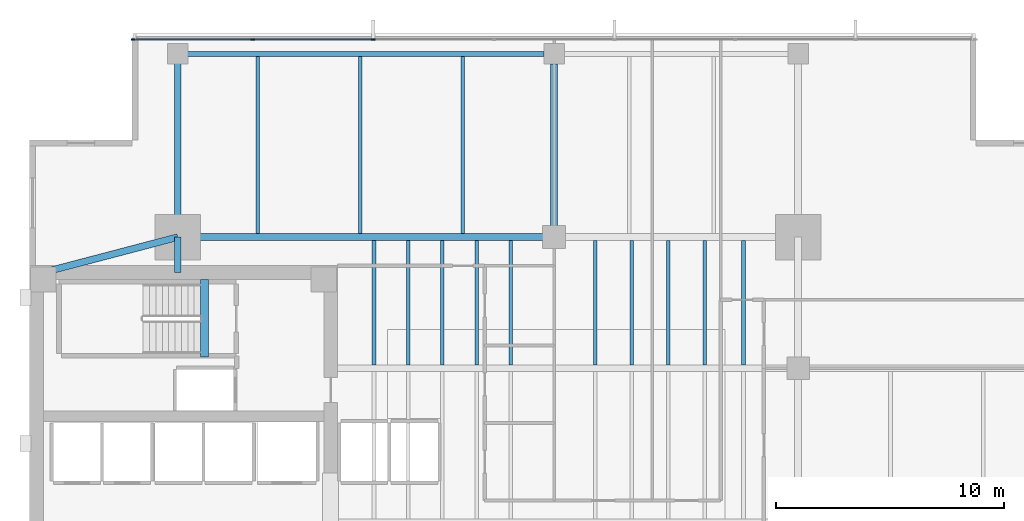
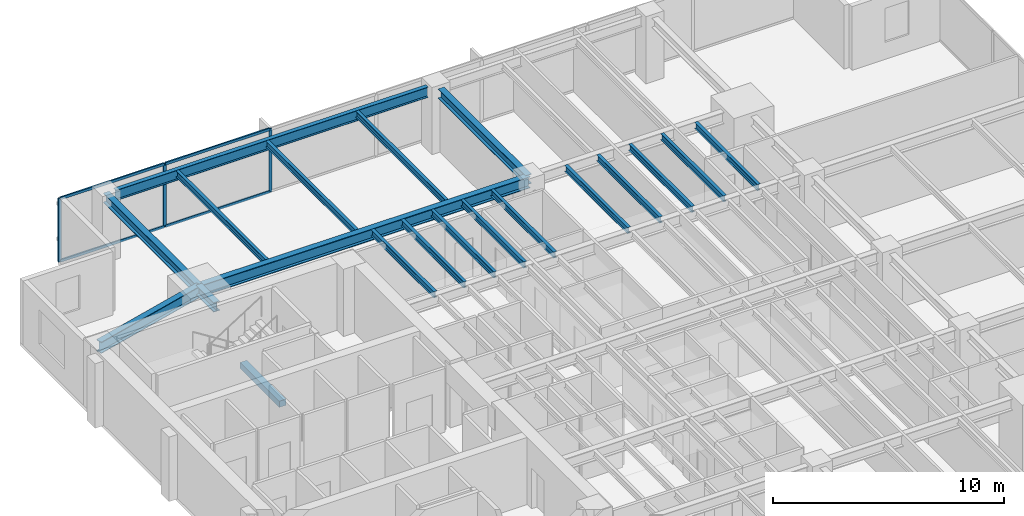
# One storey, part 5 of 14: 20 beams, 7 members, 1 element without a shape of its own.
"""IFC4 building model written with IfcOpenShell, lengths in metres."""

from ifc_helpers import new_model, si_unit, direction, frame, origin, origin_2d, place, context, subcontext, project, spatial, rectangle, i_section, extrude, material, layer, layer_set, material_profile, profile_set, type_object, element, aggregate, save


model = new_model("IFC4")

# Units and contexts
model_context = context("Model", 3, precision=1e-05, world=origin(), true_north=direction((0.0, 1.0)))
body_context = subcontext(model_context, "Body", "Model", "MODEL_VIEW")
ifc_project = project(units=[si_unit("LENGTHUNIT", "METRE"), si_unit("AREAUNIT", "SQUARE_METRE"), si_unit("VOLUMEUNIT", "CUBIC_METRE"), si_unit("PLANEANGLEUNIT", "RADIAN"), si_unit("MASSUNIT", "GRAM", prefix="KILO")], contexts=[model_context])

# Site, building, storey
site_placement = place(None, origin())
site = spatial("IfcSite", under=ifc_project, at=site_placement, CompositionType="ELEMENT")
building_placement = place(site_placement, origin())
building = spatial("IfcBuilding", under=site, at=building_placement, Name="Kinhvarn Gate Tower", CompositionType="ELEMENT")
storey_placement = place(building_placement, frame((0.0, 0.0, 102.25)))
storey = spatial("IfcBuildingStorey", under=building, at=storey_placement, Name="L26", CompositionType="ELEMENT", Elevation=102.25)

# Beam
ifc_material_1 = material(Name="Concrete C50/60", Category="concrete")
ifc_material_profile_1 = material_profile(ifc_material_1, rectangle(XDim=0.340087890625, YDim=0.320068359375, at=origin_2d()), Name="RC 340x320")
ifc_profile_set_1 = profile_set([ifc_material_profile_1], Name="Concrete C50/60")
beam_type_1 = type_object("IfcBeamType", Name="BM-LND-500", PredefinedType="BEAM", material=ifc_profile_set_1)
beam_1_placement = place(storey_placement, frame((12.1650390625, 32.5, -0.159912109375), z_axis=(0.0, 1.0, 0.0), x_axis=(-1.0, 0.0, 0.0)))
element("IfcBeam", 1, at=beam_1_placement, inside=storey, type_object=beam_type_1, Name="Stair ST2 Landing Nosing Beam (L26)", PredefinedType="BEAM", context=body_context, shape_type="SweptSolid", body=[
    extrude(rectangle(XDim=0.340087890625, YDim=0.320068359375, at=origin_2d()), origin(), (0.0, 0.0, 1.0), 3.39990234375),
])

# Curtain wall, members
ifc_material_2 = material(Name="Anodised aluminium AW-6063", Category="aluminium")
ifc_layer = layer(ifc_material_2, 0.179931640625)
ifc_layer_set = layer_set([ifc_layer], Name="Anodised aluminium AW-6063")
curtain_wall_type = type_object("IfcCurtainWallType", Name="CW-SYS-3", PredefinedType="NOTDEFINED", material=ifc_layer_set)
curtain_wall_placement = place(storey_placement, origin())
curtain_wall = element("IfcCurtainWall", 2, at=curtain_wall_placement, inside=storey, type_object=curtain_wall_type, Name="Curtain Wall CW3 (L26)", PredefinedType="NOTDEFINED")
ifc_material_profile_2 = material_profile(ifc_material_2, rectangle(XDim=0.06494140625, YDim=0.159912109375, at=origin_2d()), Name="ALU 65x160")
ifc_profile_set_2 = profile_set([ifc_material_profile_2], Name="Anodised aluminium AW-6063")
member_type_1 = type_object("IfcMemberType", Name="CW-MUL-160", PredefinedType="MULLION", material=ifc_profile_set_2)
member_1_placement = place(storey_placement, frame((19.571533203125, 46.409912109375, 0.0), z_axis=(0.0, 0.0, 1.0), x_axis=(0.0, -1.0, 0.0)))
member_1 = element("IfcMember", 3, at=member_1_placement, type_object=member_type_1, Name="CW3 mullion 6", PredefinedType="MULLION", context=body_context, shape_type="SweptSolid", body=[
    extrude(rectangle(XDim=0.06494140625, YDim=0.159912109375, at=origin_2d()), origin(), (0.0, 0.0, 1.0), 3.3701171875),
])
member_2_placement = place(storey_placement, frame((14.28564453125, 46.409912109375, 0.0), z_axis=(0.0, 0.0, 1.0), x_axis=(0.0, -1.0, 0.0)))
member_2 = element("IfcMember", 4, at=member_2_placement, type_object=member_type_1, Name="CW3 mullion 7", PredefinedType="MULLION", context=body_context, shape_type="SweptSolid", body=[
    extrude(rectangle(XDim=0.06494140625, YDim=0.159912109375, at=origin_2d()), origin(), (0.0, 0.0, 1.0), 3.3701171875),
])
member_3_placement = place(storey_placement, frame((9.032470703125, 46.409912109375, 0.0), z_axis=(0.0, 0.0, 1.0), x_axis=(0.0, -1.0, 0.0)))
member_3 = element("IfcMember", 5, at=member_3_placement, type_object=member_type_1, Name="CW3 mullion 8", PredefinedType="MULLION", context=body_context, shape_type="SweptSolid", body=[
    extrude(rectangle(XDim=0.06494140625, YDim=0.159912109375, at=origin_2d()), origin(), (0.0, 0.0, 1.0), 3.3701171875),
])
ifc_material_profile_3 = material_profile(ifc_material_2, rectangle(XDim=0.070068359375, YDim=0.139892578125, at=origin_2d()), Name="ALU 70x140")
ifc_profile_set_3 = profile_set([ifc_material_profile_3], Name="Anodised aluminium AW-6063")
member_type_2 = type_object("IfcMemberType", Name="CW-TRN-140", PredefinedType="USERDEFINED", material=ifc_profile_set_3)
member_4_placement = place(storey_placement, frame((19.538818359375, 46.409912109375, 0.034912109375), z_axis=(-1.0, 0.0, 0.0), x_axis=(0.0, -1.0, 0.0)))
member_4 = element("IfcMember", 6, at=member_4_placement, type_object=member_type_2, Name="CW3 transom 6.1", ObjectType="TRANSOM", PredefinedType="USERDEFINED", context=body_context, shape_type="SweptSolid", body=[
    extrude(rectangle(XDim=0.070068359375, YDim=0.139892578125, at=origin_2d()), origin(), (0.0, 0.0, 1.0), 5.220703125),
])
member_5_placement = place(storey_placement, frame((19.538818359375, 46.409912109375, 3.3349609375), z_axis=(-1.0, 0.0, 0.0), x_axis=(0.0, -1.0, 0.0)))
member_5 = element("IfcMember", 7, at=member_5_placement, type_object=member_type_2, Name="CW3 transom 6.2", ObjectType="TRANSOM", PredefinedType="USERDEFINED", context=body_context, shape_type="SweptSolid", body=[
    extrude(rectangle(XDim=0.070068359375, YDim=0.139892578125, at=origin_2d()), origin(), (0.0, 0.0, 1.0), 5.220703125),
])
member_6_placement = place(storey_placement, frame((14.253173828125, 46.409912109375, 0.034912109375), z_axis=(-1.0, 0.0, 0.0), x_axis=(0.0, -1.0, 0.0)))
member_6 = element("IfcMember", 8, at=member_6_placement, type_object=member_type_2, Name="CW3 transom 7.1", ObjectType="TRANSOM", PredefinedType="USERDEFINED", context=body_context, shape_type="SweptSolid", body=[
    extrude(rectangle(XDim=0.070068359375, YDim=0.139892578125, at=origin_2d()), origin(), (0.0, 0.0, 1.0), 5.188232421875),
])
member_7_placement = place(storey_placement, frame((14.253173828125, 46.409912109375, 3.3349609375), z_axis=(-1.0, 0.0, 0.0), x_axis=(0.0, -1.0, 0.0)))
member_7 = element("IfcMember", 9, at=member_7_placement, type_object=member_type_2, Name="CW3 transom 7.2", ObjectType="TRANSOM", PredefinedType="USERDEFINED", context=body_context, shape_type="SweptSolid", body=[
    extrude(rectangle(XDim=0.070068359375, YDim=0.139892578125, at=origin_2d()), origin(), (0.0, 0.0, 1.0), 5.188232421875),
])
aggregate(curtain_wall, [member_1, member_2, member_3, member_4, member_5, member_6, member_7])

# Beams
ifc_material_3 = material(Name="Steel S355", Category="steel")
ifc_material_profile_4 = material_profile(ifc_material_3, i_section(OverallWidth=0.300048828125, OverallDepth=0.5, WebThickness=0.014404296875, FlangeThickness=0.028076171875, at=origin_2d()), Name="HEB 500")
ifc_profile_set_4 = profile_set([ifc_material_profile_4], Name="Steel S355")
beam_type_2 = type_object("IfcBeamType", Name="STL-HEB500", PredefinedType="BEAM", material=ifc_profile_set_4)
beam_2_placement = place(storey_placement, frame((11.0, 36.199951171875, 3.1201171875), z_axis=(0.0, 1.0, 0.0), x_axis=(-1.0, 0.0, 0.0)))
element("IfcBeam", 10, at=beam_2_placement, inside=storey, type_object=beam_type_2, Name="Floor Beam PG-14 (L26 MCW-CN)", PredefinedType="BEAM", context=body_context, shape_type="SweptSolid", body=[
    extrude(i_section(OverallWidth=0.300048828125, OverallDepth=0.5, WebThickness=0.014404296875, FlangeThickness=0.028076171875, at=origin_2d()), origin(), (0.0, 0.0, 1.0), 1.550048828125),
])
beam_3_placement = place(storey_placement, frame((11.0, 37.75, 3.1201171875), z_axis=(0.0, 1.0, 0.0), x_axis=(-1.0, 0.0, 0.0)))
element("IfcBeam", 11, at=beam_3_placement, inside=storey, type_object=beam_type_2, Name="Floor Beam PG-14 (L26 MCW-N)", PredefinedType="BEAM", context=body_context, shape_type="SweptSolid", body=[
    extrude(i_section(OverallWidth=0.300048828125, OverallDepth=0.5, WebThickness=0.014404296875, FlangeThickness=0.028076171875, at=origin_2d()), origin(), (0.0, 0.0, 1.0), 8.030029296875),
])
beam_4_placement = place(storey_placement, frame((27.5, 37.75, 3.1201171875), z_axis=(0.0, 1.0, 0.0), x_axis=(-1.0, 0.0, 0.0)))
element("IfcBeam", 12, at=beam_4_placement, inside=storey, type_object=beam_type_2, Name="Floor Beam PG-14 (L26 SP27-N-TIE)", PredefinedType="BEAM", context=body_context, shape_type="SweptSolid", body=[
    extrude(i_section(OverallWidth=0.300048828125, OverallDepth=0.5, WebThickness=0.014404296875, FlangeThickness=0.028076171875, at=origin_2d()), origin(), (0.0, 0.0, 1.0), 7.594970703125),
])
ifc_material_profile_5 = material_profile(ifc_material_3, i_section(OverallWidth=0.300048828125, OverallDepth=0.60009765625, WebThickness=0.015380859375, FlangeThickness=0.030029296875, at=origin_2d()), Name="HEB 600")
ifc_profile_set_5 = profile_set([ifc_material_profile_5], Name="Steel S355")
beam_type_3 = type_object("IfcBeamType", Name="STL-HEB600", PredefinedType="BEAM", material=ifc_profile_set_5)
beam_5_placement = place(storey_placement, frame((11.0, 37.75, 3.070068359375), z_axis=(1.0, 0.0, 0.0), x_axis=(0.0, 1.0, 0.0)))
element("IfcBeam", 13, at=beam_5_placement, inside=storey, type_object=beam_type_3, Name="Floor Beam PG-16 (L26 MG-N1)", PredefinedType="BEAM", context=body_context, shape_type="SweptSolid", body=[
    extrude(i_section(OverallWidth=0.300048828125, OverallDepth=0.60009765625, WebThickness=0.015380859375, FlangeThickness=0.030029296875, at=origin_2d()), origin(), (0.0, 0.0, 1.0), 16.5),
])
beam_6_placement = place(storey_placement, frame((5.10009765625, 36.199951171875, 3.070068359375), z_axis=(0.967177623957, 0.254101246979, 0.0), x_axis=(-0.254101246979, 0.967177623957, 0.0)))
element("IfcBeam", 14, at=beam_6_placement, inside=storey, type_object=beam_type_3, Name="Floor Beam PG-16 (L26 MG-NW-DIAG)", PredefinedType="BEAM", context=body_context, shape_type="SweptSolid", body=[
    extrude(i_section(OverallWidth=0.300048828125, OverallDepth=0.60009765625, WebThickness=0.015380859375, FlangeThickness=0.030029296875, at=origin_2d()), origin(), (0.0, 0.0, 1.0), 6.10009765625),
])
ifc_material_profile_6 = material_profile(ifc_material_3, i_section(OverallWidth=0.159912109375, OverallDepth=0.330078125, WebThickness=0.007568359375, FlangeThickness=0.011474609375, at=origin_2d()), Name="IPE 330")
ifc_profile_set_6 = profile_set([ifc_material_profile_6], Name="Steel S355")
beam_type_4 = type_object("IfcBeamType", Name="STL-IPE330", PredefinedType="JOIST", material=ifc_profile_set_6)
for number, where, z_axis, x_axis, name in (
    (15, (19.60009765625, 32.14990234375, 3.205078125), (0.0, 1.0, 0.0), (-1.0, 0.0, 0.0), "Floor Joist SB-03 (L26 JC-X196-3)"),
    (16, (21.10009765625, 32.14990234375, 3.205078125), (0.0, 1.0, 0.0), (-1.0, 0.0, 0.0), "Floor Joist SB-03 (L26 JC-X211-3)"),
    (17, (22.60009765625, 32.14990234375, 3.205078125), (0.0, 1.0, 0.0), (-1.0, 0.0, 0.0), "Floor Joist SB-03 (L26 JC-X226-3)"),
    (18, (24.10009765625, 32.14990234375, 3.205078125), (0.0, 1.0, 0.0), (-1.0, 0.0, 0.0), "Floor Joist SB-03 (L26 JC-X241-3)"),
    (19, (25.60009765625, 32.14990234375, 3.205078125), (0.0, 1.0, 0.0), (-1.0, 0.0, 0.0), "Floor Joist SB-03 (L26 JC-X256-3)"),
    (20, (29.300048828125, 32.14990234375, 3.205078125), (0.0, 1.0, 0.0), (-1.0, 0.0, 0.0), "Floor Joist SB-03 (L26 JC-X293-3)"),
    (21, (30.89990234375, 32.14990234375, 3.205078125), (0.0, 1.0, 0.0), (-1.0, 0.0, 0.0), "Floor Joist SB-03 (L26 JC-X309-3)"),
    (22, (32.5, 32.14990234375, 3.205078125), (0.0, 1.0, 0.0), (-1.0, 0.0, 0.0), "Floor Joist SB-03 (L26 JC-X325-3)"),
    (23, (34.10009765625, 32.14990234375, 3.205078125), (0.0, 1.0, 0.0), (-1.0, 0.0, 0.0), "Floor Joist SB-03 (L26 JC-X341-3)"),
    (24, (35.800048828125, 32.14990234375, 3.205078125), (0.0, 1.0, 0.0), (-1.0, 0.0, 0.0), "Floor Joist SB-03 (L26 JC-X358-3)"),
):
    element("IfcBeam", number, at=place(storey_placement, frame(where, z_axis=z_axis, x_axis=x_axis)), inside=storey, type_object=beam_type_4, Name=name, PredefinedType="JOIST", context=body_context, shape_type="SweptSolid", body=[
        extrude(i_section(OverallWidth=0.159912109375, OverallDepth=0.330078125, WebThickness=0.007568359375, FlangeThickness=0.011474609375, at=origin_2d()), origin(), (0.0, 0.0, 1.0), 5.4501953125),
    ])
for number, where, z_axis, x_axis, name in (
    (25, (14.5, 37.89990234375, 3.205078125), (0.0, 1.0, 0.0), (-1.0, 0.0, 0.0), "Floor Joist SB-03 (L26 JN-X145)"),
    (26, (19.0, 37.89990234375, 3.205078125), (0.0, 1.0, 0.0), (-1.0, 0.0, 0.0), "Floor Joist SB-03 (L26 JN-X190)"),
    (27, (23.5, 37.89990234375, 3.205078125), (0.0, 1.0, 0.0), (-1.0, 0.0, 0.0), "Floor Joist SB-03 (L26 JN-X235)"),
):
    element("IfcBeam", number, at=place(storey_placement, frame(where, z_axis=z_axis, x_axis=x_axis)), inside=storey, type_object=beam_type_4, Name=name, PredefinedType="JOIST", context=body_context, shape_type="SweptSolid", body=[
        extrude(i_section(OverallWidth=0.159912109375, OverallDepth=0.330078125, WebThickness=0.007568359375, FlangeThickness=0.011474609375, at=origin_2d()), origin(), (0.0, 0.0, 1.0), 7.775146484375),
    ])
ifc_material_profile_7 = material_profile(ifc_material_3, i_section(OverallWidth=0.2099609375, OverallDepth=0.550048828125, WebThickness=0.010986328125, FlangeThickness=0.01708984375, at=origin_2d()), Name="IPE 550")
ifc_profile_set_7 = profile_set([ifc_material_profile_7], Name="Steel S355")
beam_type_5 = type_object("IfcBeamType", Name="STL-IPE550", PredefinedType="SPANDREL", material=ifc_profile_set_7)
beam_7_placement = place(storey_placement, frame((11.43505859375, 45.780029296875, 3.094970703125), z_axis=(1.0, 0.0, 0.0), x_axis=(0.0, 1.0, 0.0)))
element("IfcBeam", 28, at=beam_7_placement, inside=storey, type_object=beam_type_5, Name="Floor Spandrel SB-08 (L26 SP-N1)", PredefinedType="SPANDREL", context=body_context, shape_type="SweptSolid", body=[
    extrude(i_section(OverallWidth=0.2099609375, OverallDepth=0.550048828125, WebThickness=0.010986328125, FlangeThickness=0.01708984375, at=origin_2d()), origin(), (0.0, 0.0, 1.0), 15.6298828125),
])

save(model, "model.ifc")
